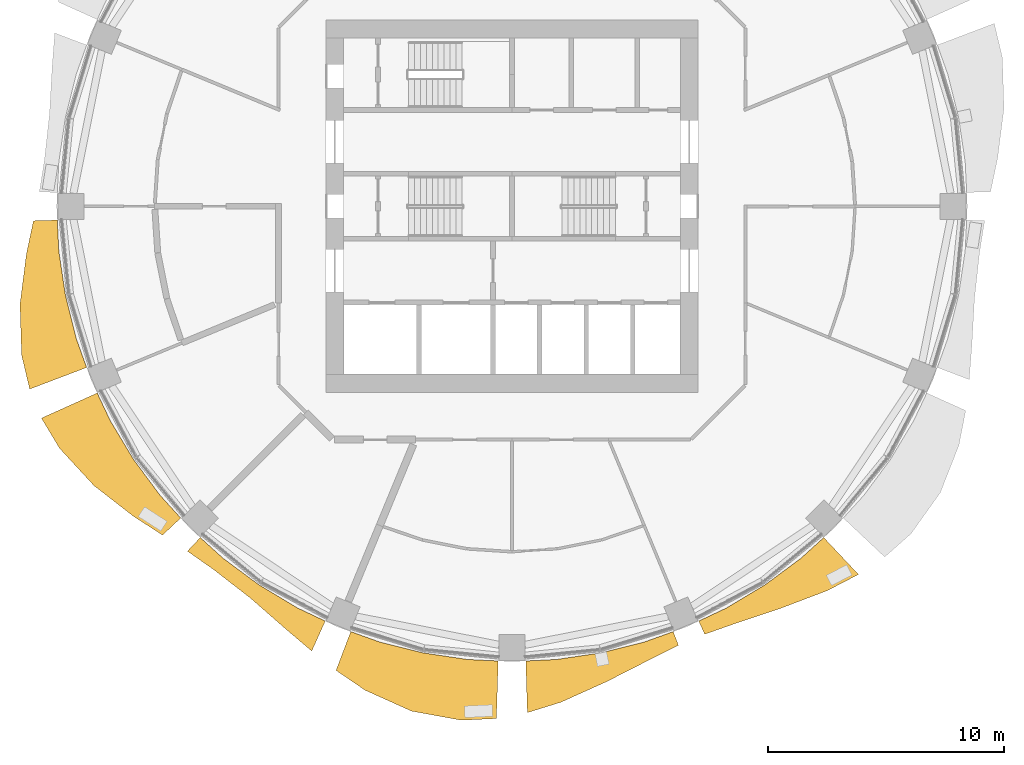
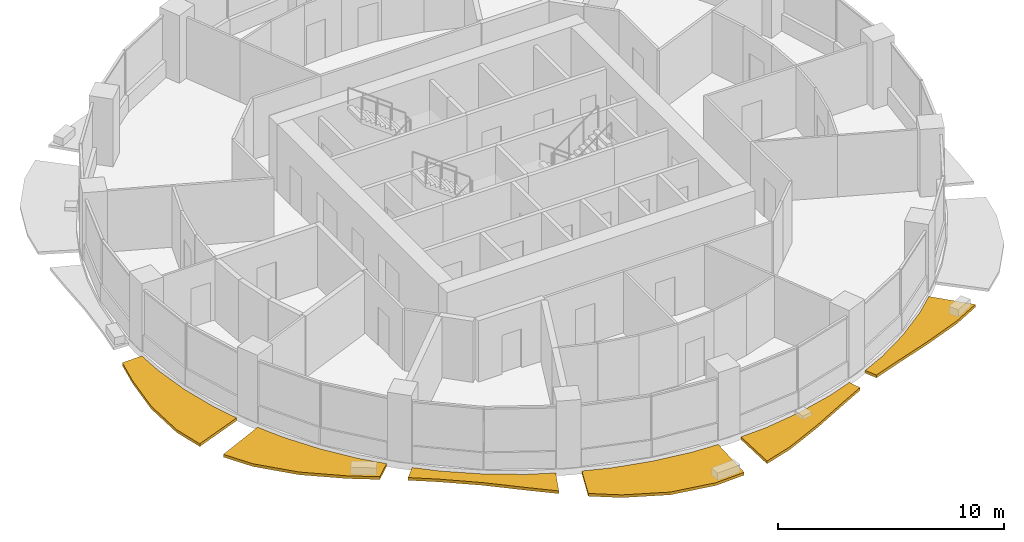
# One storey, part 11 of 14: 6 shading devices.
"""IFC4 building model written with IfcOpenShell, lengths in metres."""

from ifc_helpers import new_model, si_unit, direction, frame, origin, place, context, subcontext, project, spatial, polyline, outline, extrude, material, type_object, element, save


model = new_model("IFC4")

# Units and contexts
model_context = context("Model", 3, precision=1e-05, world=origin(), true_north=direction((0.0, 1.0)))
body_context = subcontext(model_context, "Body", "Model", "MODEL_VIEW")
ifc_project = project(units=[si_unit("LENGTHUNIT", "METRE"), si_unit("AREAUNIT", "SQUARE_METRE"), si_unit("VOLUMEUNIT", "CUBIC_METRE"), si_unit("PLANEANGLEUNIT", "RADIAN"), si_unit("MASSUNIT", "GRAM", prefix="KILO")], contexts=[model_context])

# Site, building, storey
site_placement = place(None, origin())
site = spatial("IfcSite", under=ifc_project, at=site_placement, CompositionType="ELEMENT")
building_placement = place(site_placement, origin())
building = spatial("IfcBuilding", under=site, at=building_placement, Name="Polderwave Tower", CompositionType="ELEMENT")
storey_placement = place(building_placement, frame((0.0, 0.0, 98.300048828125)))
storey = spatial("IfcBuildingStorey", under=building, at=storey_placement, Name="L25", CompositionType="ELEMENT", Elevation=98.300048828125)

# Shading devices
ifc_material = material(Name="Terracotta", Category="masonry")
shading_device_type = type_object("IfcShadingDeviceType", Name="Terracotta sunshade band", PredefinedType="USERDEFINED", material=ifc_material)
shading_device_1_placement = place(storey_placement, frame((0.0, 0.0, -0.35009765625)))
element("IfcShadingDevice", 1, at=shading_device_1_placement, inside=storey, type_object=shading_device_type, Name="Sunshade band L25 9", ObjectType="SUNSHADE", PredefinedType="USERDEFINED", context=body_context, shape_type="SweptSolid", body=[
    extrude(outline(polyline([(-19.2412109375, -0.583984375), (-19.17724609375, -1.888916015625), (-18.899658203125, -3.759521484375), (-18.440185546875, -5.59375), (-18.000244140625, -6.82373046875), (-20.410888671875, -7.73779296875), (-20.75244140625, -6.295166015625), (-20.820068359375, -4.141357421875), (-20.54931640625, -2.02392578125), (-20.251708984375, -0.61474609375), (-19.2412109375, -0.583984375)])), origin(), (0.0, 0.0, 1.0), 0.150146484375),
])
shading_device_2_placement = place(storey_placement, frame((0.0, 0.0, -0.35009765625)))
element("IfcShadingDevice", 2, at=shading_device_2_placement, inside=storey, type_object=shading_device_type, Name="Sunshade band L25 10", ObjectType="SUNSHADE", PredefinedType="USERDEFINED", context=body_context, shape_type="SweptSolid", body=[
    extrude(outline(polyline([(-17.552978515625, -7.90283203125), (-16.99462890625, -9.083740234375), (-16.0224609375, -10.705810546875), (-14.89599609375, -12.224853515625), (-14.0185546875, -13.192626953125), (-14.786865234375, -13.91552734375), (-16.002197265625, -13.1328125), (-17.69140625, -11.821044921875), (-19.15185546875, -10.23681640625), (-19.9130859375, -8.96533203125), (-17.552978515625, -7.90283203125)])), origin(), (0.0, 0.0, 1.0), 0.150146484375),
])
shading_device_3_placement = place(storey_placement, frame((0.0, 0.0, -0.35009765625)))
element("IfcShadingDevice", 3, at=shading_device_3_placement, inside=storey, type_object=shading_device_type, Name="Sunshade band L25 11", ObjectType="SUNSHADE", PredefinedType="USERDEFINED", context=body_context, shape_type="SweptSolid", body=[
    extrude(outline(polyline([(-13.192626953125, -14.0185546875), (-12.224853515625, -14.89599609375), (-10.705810546875, -16.0224609375), (-9.083740234375, -16.99462890625), (-7.90283203125, -17.552978515625), (-8.474609375, -18.822998046875), (-9.56591796875, -17.896240234375), (-11.075927734375, -16.576416015625), (-12.62109375, -15.37890625), (-13.735595703125, -14.595458984375), (-13.192626953125, -14.0185546875)])), origin(), (0.0, 0.0, 1.0), 0.150146484375),
])
shading_device_4_placement = place(storey_placement, frame((0.0, 0.0, -0.35009765625)))
element("IfcShadingDevice", 4, at=shading_device_4_placement, inside=storey, type_object=shading_device_type, Name="Sunshade band L25 12", ObjectType="SUNSHADE", PredefinedType="USERDEFINED", context=body_context, shape_type="SweptSolid", body=[
    extrude(outline(polyline([(-6.82373046875, -18.000244140625), (-5.59375, -18.440185546875), (-3.759521484375, -18.899658203125), (-1.888916015625, -19.17724609375), (-0.583984375, -19.2412109375), (-0.657958984375, -21.678466796875), (-2.14208984375, -21.75048828125), (-4.249755859375, -21.36474609375), (-6.212890625, -20.4814453125), (-7.44580078125, -19.640869140625), (-6.82373046875, -18.000244140625)])), origin(), (0.0, 0.0, 1.0), 0.150146484375),
])
shading_device_5_placement = place(storey_placement, frame((0.0, 0.0, -0.35009765625)))
element("IfcShadingDevice", 5, at=shading_device_5_placement, inside=storey, type_object=shading_device_type, Name="Sunshade band L25 13", ObjectType="SUNSHADE", PredefinedType="USERDEFINED", context=body_context, shape_type="SweptSolid", body=[
    extrude(outline(polyline([(0.583984375, -19.2412109375), (1.888916015625, -19.17724609375), (3.759521484375, -18.899658203125), (5.59375, -18.440185546875), (6.82373046875, -18.000244140625), (7.044189453125, -18.58154296875), (5.8212890625, -19.190185546875), (4.001708984375, -20.117919921875), (2.0673828125, -20.98974609375), (0.650390625, -21.429443359375), (0.583984375, -19.2412109375)])), origin(), (0.0, 0.0, 1.0), 0.150146484375),
])
shading_device_6_placement = place(storey_placement, frame((0.0, 0.0, -0.35009765625)))
element("IfcShadingDevice", 6, at=shading_device_6_placement, inside=storey, type_object=shading_device_type, Name="Sunshade band L25 14", ObjectType="SUNSHADE", PredefinedType="USERDEFINED", context=body_context, shape_type="SweptSolid", body=[
    extrude(outline(polyline([(7.90283203125, -17.552978515625), (9.083740234375, -16.99462890625), (10.705810546875, -16.0224609375), (12.224853515625, -14.89599609375), (13.192626953125, -14.0185546875), (14.662841796875, -15.580810546875), (13.346923828125, -16.26318359375), (11.368408203125, -17.01416015625), (9.439208984375, -17.65966796875), (8.154296875, -18.111083984375), (7.90283203125, -17.552978515625)])), origin(), (0.0, 0.0, 1.0), 0.150146484375),
])

save(model, "model.ifc")
